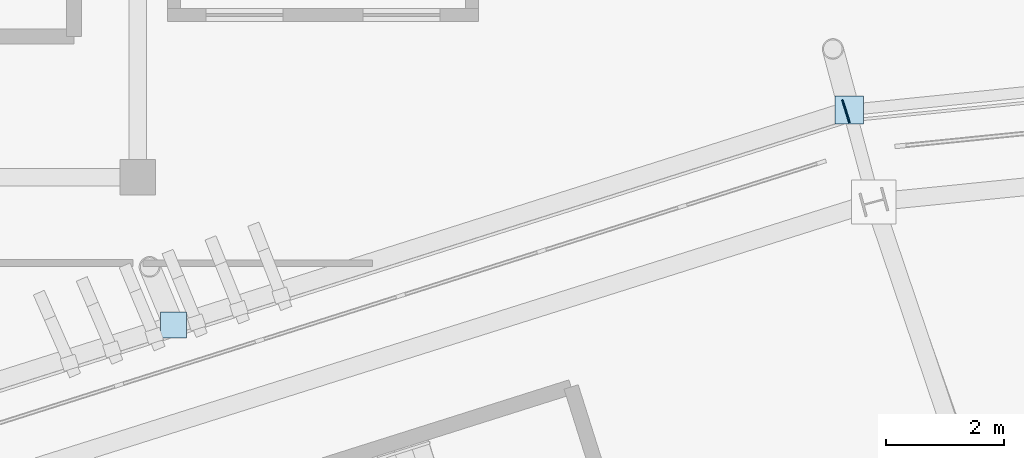
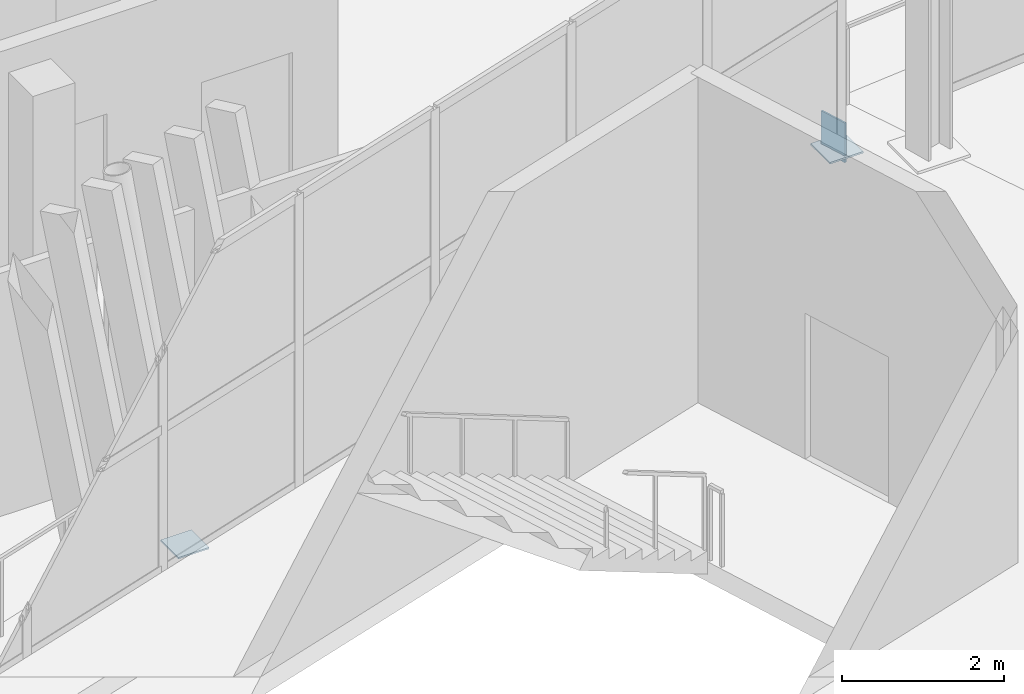
# One storey, part 116 of 178: 3 plates.
"""IFC4 building model written with IfcOpenShell, lengths in metres."""

from ifc_helpers import new_model, si_unit, direction, frame, origin, origin_2d, place, context, subcontext, project, spatial, rectangle, extrude, material, layer, layer_set, type_object, element, save


model = new_model("IFC4")

# Units and contexts
model_context = context("Model", 3, precision=1e-05, world=origin(), true_north=direction((0.0, 1.0)))
body_context = subcontext(model_context, "Body", "Model", "MODEL_VIEW")
ifc_project = project(units=[si_unit("LENGTHUNIT", "METRE"), si_unit("AREAUNIT", "SQUARE_METRE"), si_unit("VOLUMEUNIT", "CUBIC_METRE"), si_unit("PLANEANGLEUNIT", "RADIAN"), si_unit("MASSUNIT", "GRAM", prefix="KILO")], contexts=[model_context])

# Site, building, storey
site_placement = place(None, origin())
site = spatial("IfcSite", under=ifc_project, at=site_placement, CompositionType="ELEMENT")
building_placement = place(site_placement, origin())
building = spatial("IfcBuilding", under=site, at=building_placement, Name="Zlatoyarsky Gate Stadium", CompositionType="ELEMENT")
storey_placement = place(building_placement, frame((0.0, 0.0, 5.39990234375)))
storey = spatial("IfcBuildingStorey", under=building, at=storey_placement, Name="L01", CompositionType="ELEMENT", Elevation=5.39990234375)

# Plates
ifc_material = material(Name="Steel S355", Category="steel")
ifc_layer = layer(ifc_material, 0.02392578125)
ifc_layer_set = layer_set([ifc_layer], Name="Steel S355")
plate_type = type_object("IfcPlateType", Name="STEEL HOLLOW CHORD SPLICE SHEET 24", PredefinedType="SHEET", material=ifc_layer_set)
plate_1_placement = place(storey_placement, frame((86.456298828125, 150.1162109375, -0.849853515625), z_axis=(0.0, 0.0, 1.0), x_axis=(-0.953005118522, -0.302954194674, 0.0)))
element("IfcPlate", 1, at=plate_1_placement, inside=storey, type_object=plate_type, Name="Hollow end cap ND-SP1 CAP-L01-SPD-07 A", PredefinedType="SHEET", context=body_context, shape_type="SweptSolid", body=[
    extrude(rectangle(XDim=0.02392578125, YDim=0.39990234375, at=origin_2d()), origin(), (0.0, 0.0, 1.0), 0.60009765625),
])
plate_2_placement = place(storey_placement, frame((86.513427734375, 150.134521484375, -0.77197265625), z_axis=(0.0, 0.0, 1.0), x_axis=(1.0, 0.0, 0.0)))
element("IfcPlate", 2, at=plate_2_placement, inside=storey, type_object=plate_type, Name="Node closure plate ND-SP1 NCAP-L01-RSTR-07", PredefinedType="SHEET", context=body_context, shape_type="SweptSolid", body=[
    extrude(rectangle(XDim=0.47998046875, YDim=0.47998046875, at=origin_2d()), origin(), (0.0, 0.0, 1.0), 0.02392578125),
])
plate_3_placement = place(storey_placement, frame((75.1044921875, 146.507568359375, -0.561767578125), z_axis=(0.0, 0.0, 1.0), x_axis=(1.0, 0.0, 0.0)))
element("IfcPlate", 3, at=plate_3_placement, inside=storey, type_object=plate_type, Name="Node closure plate ND-SP1 NCAP-RIB-07-2-0B", PredefinedType="SHEET", context=body_context, shape_type="SweptSolid", body=[
    extrude(rectangle(XDim=0.43994140625, YDim=0.43994140625, at=origin_2d()), origin(), (0.0, 0.0, 1.0), 0.02392578125),
])

save(model, "model.ifc")
